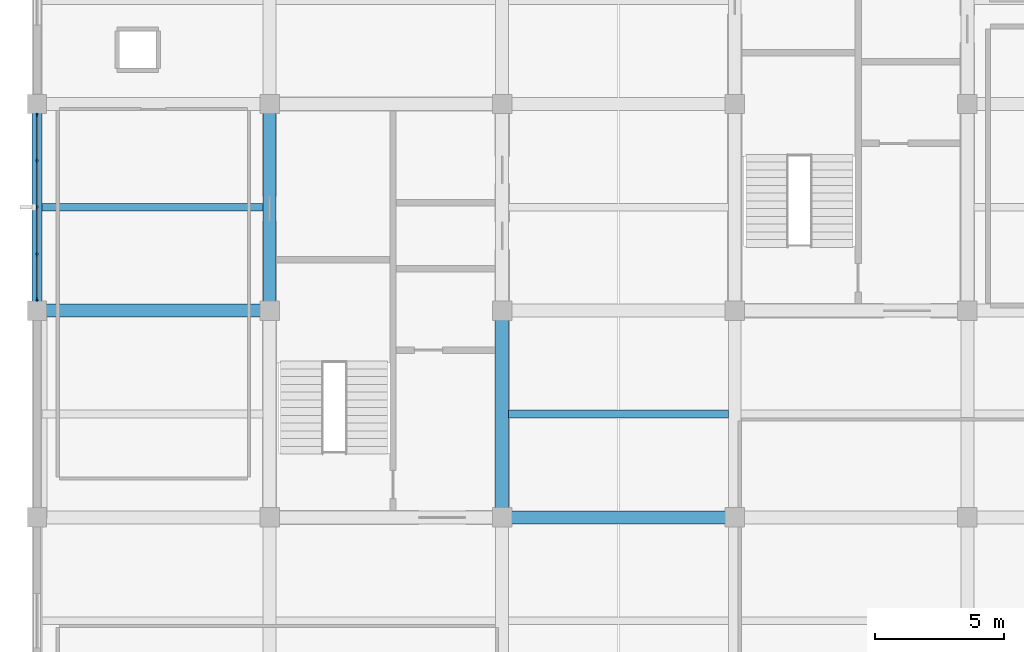
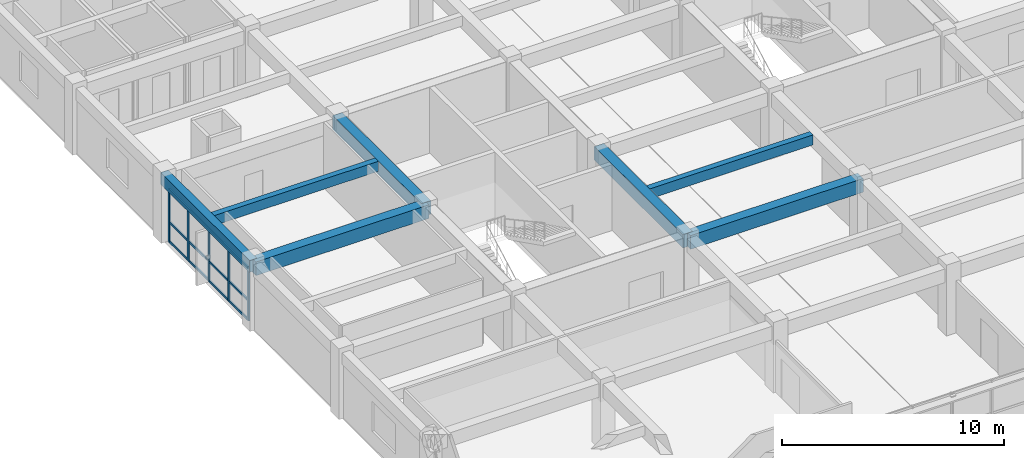
# One storey, part 4 of 15: 8 members, 7 beams, 1 element without a shape of its own.
"""IFC4 building model written with IfcOpenShell, lengths in metres."""

from ifc_helpers import new_model, si_unit, direction, frame, origin, origin_2d, place, context, subcontext, project, spatial, rectangle, extrude, material, material_profile, profile_set, type_object, element, aggregate, save


model = new_model("IFC4")

# Units and contexts
model_context = context("Model", 3, precision=1e-05, world=origin(), true_north=direction((0.0, 1.0)))
body_context = subcontext(model_context, "Body", "Model", "MODEL_VIEW")
ifc_project = project(units=[si_unit("LENGTHUNIT", "METRE"), si_unit("AREAUNIT", "SQUARE_METRE"), si_unit("VOLUMEUNIT", "CUBIC_METRE"), si_unit("PLANEANGLEUNIT", "RADIAN"), si_unit("MASSUNIT", "GRAM", prefix="KILO")], contexts=[model_context])

# Site, building, storey
site_placement = place(None, origin())
site = spatial("IfcSite", under=ifc_project, at=site_placement, CompositionType="ELEMENT")
building_placement = place(site_placement, origin())
building = spatial("IfcBuilding", under=site, at=building_placement, Name="Zaverband Oceanarium and Marine Research Institute", CompositionType="ELEMENT")
storey_placement = place(building_placement, frame((0.0, 0.0, 45.300048828125)))
storey = spatial("IfcBuildingStorey", under=building, at=storey_placement, Name="L11", CompositionType="ELEMENT", Elevation=45.300048828125)

# Beams
ifc_material_1 = material(Name="Concrete C40/50", Category="concrete")
ifc_material_profile_1 = material_profile(ifc_material_1, rectangle(XDim=0.5, YDim=0.75, at=origin_2d()), Name="RC500x750")
ifc_profile_set_1 = profile_set([ifc_material_profile_1], Name="Concrete C40/50")
beam_type_1 = type_object("IfcBeamType", Name="BM-500x750", PredefinedType="BEAM", material=ifc_profile_set_1)
for number, where, z_axis, x_axis, name in (
    (1, (27.0, 80.0, 3.244873046875), (1.0, 0.0, 0.0), (0.0, 1.0, 0.0), "Primary floor girder BM-500x750"),
    (2, (9.0, 88.0, 3.244873046875), (1.0, 0.0, 0.0), (0.0, 1.0, 0.0), "Primary floor girder BM-500x750"),
):
    element("IfcBeam", number, at=place(storey_placement, frame(where, z_axis=z_axis, x_axis=x_axis)), inside=storey, type_object=beam_type_1, Name=name, PredefinedType="BEAM", context=body_context, shape_type="SweptSolid", body=[
        extrude(rectangle(XDim=0.5, YDim=0.75, at=origin_2d()), origin(), (0.0, 0.0, 1.0), 9.0),
    ])
for number, where, z_axis, x_axis, name in (
    (3, (18.0, 88.0, 3.244873046875), (0.0, 1.0, 0.0), (-1.0, 0.0, 0.0), "Primary floor girder BM-500x750"),
    (4, (27.0, 80.0, 3.244873046875), (0.0, 1.0, 0.0), (-1.0, 0.0, 0.0), "Primary floor girder BM-500x750"),
):
    element("IfcBeam", number, at=place(storey_placement, frame(where, z_axis=z_axis, x_axis=x_axis)), inside=storey, type_object=beam_type_1, Name=name, PredefinedType="BEAM", context=body_context, shape_type="SweptSolid", body=[
        extrude(rectangle(XDim=0.5, YDim=0.75, at=origin_2d()), origin(), (0.0, 0.0, 1.0), 8.0),
    ])
ifc_material_profile_2 = material_profile(ifc_material_1, rectangle(XDim=0.300048828125, YDim=0.550048828125, at=origin_2d()), Name="RC300x550")
ifc_profile_set_2 = profile_set([ifc_material_profile_2], Name="Concrete C40/50")
beam_type_2 = type_object("IfcBeamType", Name="JST-300x550", PredefinedType="JOIST", material=ifc_profile_set_2)
beam_1_placement = place(storey_placement, frame((9.199951171875, 92.0, 3.344970703125), z_axis=(1.0, 0.0, 0.0), x_axis=(0.0, 1.0, 0.0)))
element("IfcBeam", 5, at=beam_1_placement, inside=storey, type_object=beam_type_2, Name="Secondary floor joist JST-300x550", PredefinedType="JOIST", context=body_context, shape_type="SweptSolid", body=[
    extrude(rectangle(XDim=0.300048828125, YDim=0.550048828125, at=origin_2d()), origin(), (0.0, 0.0, 1.0), 8.550048828125),
])
beam_2_placement = place(storey_placement, frame((27.25, 84.0, 3.344970703125), z_axis=(1.0, 0.0, 0.0), x_axis=(0.0, 1.0, 0.0)))
element("IfcBeam", 6, at=beam_2_placement, inside=storey, type_object=beam_type_2, Name="Secondary floor joist JST-300x550", PredefinedType="JOIST", context=body_context, shape_type="SweptSolid", body=[
    extrude(rectangle(XDim=0.300048828125, YDim=0.550048828125, at=origin_2d()), origin(), (0.0, 0.0, 1.0), 8.5),
])

# Curtain wall, members
ifc_material_2 = material(Name="Thermally broken anodized aluminium and solar-control glass", Category="aluminium")
curtain_wall_type = type_object("IfcCurtainWallType", Name="CW-UNIT-1800", PredefinedType="NOTDEFINED", material=ifc_material_2)
curtain_wall_placement = place(storey_placement, origin())
curtain_wall = element("IfcCurtainWall", 7, at=curtain_wall_placement, inside=storey, type_object=curtain_wall_type, Name="Unitised glazed curtain wall CW-128", PredefinedType="NOTDEFINED")
ifc_material_3 = material(Name="Thermally broken anodized aluminium", Category="aluminium")
ifc_material_profile_3 = material_profile(ifc_material_3, rectangle(XDim=0.070068359375, YDim=0.14990234375, at=origin_2d()), Name="AL-MUL-70x150")
ifc_profile_set_3 = profile_set([ifc_material_profile_3], Name="Thermally broken anodized aluminium")
member_type_1 = type_object("IfcMemberType", Name="MUL-70x150", PredefinedType="MULLION", material=ifc_profile_set_3)
member_1_placement = place(storey_placement, frame((9.0, 88.43994140625, 0.0), z_axis=(0.0, 0.0, 1.0), x_axis=(1.0, 0.0, 0.0)))
member_1 = element("IfcMember", 8, at=member_1_placement, type_object=member_type_1, Name="Curtain wall vertical mullion MUL-70x150", PredefinedType="MULLION", context=body_context, shape_type="SweptSolid", body=[
    extrude(rectangle(XDim=0.070068359375, YDim=0.14990234375, at=origin_2d()), origin(), (0.0, 0.0, 1.0), 2.949951171875),
])
member_2_placement = place(storey_placement, frame((9.0, 90.18994140625, 0.0), z_axis=(0.0, 0.0, 1.0), x_axis=(1.0, 0.0, 0.0)))
member_2 = element("IfcMember", 9, at=member_2_placement, type_object=member_type_1, Name="Curtain wall vertical mullion MUL-70x150", PredefinedType="MULLION", context=body_context, shape_type="SweptSolid", body=[
    extrude(rectangle(XDim=0.070068359375, YDim=0.14990234375, at=origin_2d()), origin(), (0.0, 0.0, 1.0), 2.949951171875),
])
member_3_placement = place(storey_placement, frame((9.0, 92.0, 0.0), z_axis=(0.0, 0.0, 1.0), x_axis=(1.0, 0.0, 0.0)))
member_3 = element("IfcMember", 10, at=member_3_placement, type_object=member_type_1, Name="Curtain wall vertical mullion MUL-70x150", PredefinedType="MULLION", context=body_context, shape_type="SweptSolid", body=[
    extrude(rectangle(XDim=0.070068359375, YDim=0.14990234375, at=origin_2d()), origin(), (0.0, 0.0, 1.0), 2.949951171875),
])
member_4_placement = place(storey_placement, frame((9.0, 93.81005859375, 0.0), z_axis=(0.0, 0.0, 1.0), x_axis=(1.0, 0.0, 0.0)))
member_4 = element("IfcMember", 11, at=member_4_placement, type_object=member_type_1, Name="Curtain wall vertical mullion MUL-70x150", PredefinedType="MULLION", context=body_context, shape_type="SweptSolid", body=[
    extrude(rectangle(XDim=0.070068359375, YDim=0.14990234375, at=origin_2d()), origin(), (0.0, 0.0, 1.0), 2.949951171875),
])
member_5_placement = place(storey_placement, frame((9.0, 95.56005859375, 0.0), z_axis=(0.0, 0.0, 1.0), x_axis=(1.0, 0.0, 0.0)))
member_5 = element("IfcMember", 12, at=member_5_placement, type_object=member_type_1, Name="Curtain wall vertical mullion MUL-70x150", PredefinedType="MULLION", context=body_context, shape_type="SweptSolid", body=[
    extrude(rectangle(XDim=0.070068359375, YDim=0.14990234375, at=origin_2d()), origin(), (0.0, 0.0, 1.0), 2.949951171875),
])

# Beam
ifc_material_profile_4 = material_profile(ifc_material_1, rectangle(XDim=0.39990234375, YDim=0.64990234375, at=origin_2d()), Name="RC400x650")
ifc_profile_set_4 = profile_set([ifc_material_profile_4], Name="Concrete C40/50")
beam_type_3 = type_object("IfcBeamType", Name="SPN-400x650", PredefinedType="SPANDREL", material=ifc_profile_set_4)
beam_3_placement = place(storey_placement, frame((9.0, 88.0, 3.294921875), z_axis=(0.0, 1.0, 0.0), x_axis=(-1.0, 0.0, 0.0)))
element("IfcBeam", 13, at=beam_3_placement, inside=storey, type_object=beam_type_3, Name="Perimeter spandrel beam SPN-400x650", PredefinedType="SPANDREL", context=body_context, shape_type="SweptSolid", body=[
    extrude(rectangle(XDim=0.39990234375, YDim=0.64990234375, at=origin_2d()), origin(), (0.0, 0.0, 1.0), 8.0),
])

# Member
ifc_material_profile_5 = material_profile(ifc_material_3, rectangle(XDim=0.070068359375, YDim=0.114990234375, at=origin_2d()), Name="AL-TRN-70x115")
ifc_profile_set_5 = profile_set([ifc_material_profile_5], Name="Thermally broken anodized aluminium")
member_type_2 = type_object("IfcMemberType", Name="TRN-70x115", PredefinedType="USERDEFINED", material=ifc_profile_set_5)
member_6_placement = place(storey_placement, frame((9.0, 88.43994140625, 0.050048828125), z_axis=(0.0, 1.0, 0.0), x_axis=(-1.0, 0.0, 0.0)))
member_6 = element("IfcMember", 14, at=member_6_placement, type_object=member_type_2, Name="Curtain wall horizontal transom TRN-70x115", ObjectType="TRANSOM", PredefinedType="USERDEFINED", context=body_context, shape_type="SweptSolid", body=[
    extrude(rectangle(XDim=0.070068359375, YDim=0.114990234375, at=origin_2d()), origin(), (0.0, 0.0, 1.0), 7.1201171875),
])

member_7_placement = place(storey_placement, frame((9.0, 88.43994140625, 1.112060546875), z_axis=(0.0, 1.0, 0.0), x_axis=(-1.0, 0.0, 0.0)))
member_7 = element("IfcMember", 15, at=member_7_placement, type_object=member_type_2, Name="Curtain wall horizontal transom TRN-70x115", ObjectType="TRANSOM", PredefinedType="USERDEFINED", context=body_context, shape_type="SweptSolid", body=[
    extrude(rectangle(XDim=0.070068359375, YDim=0.114990234375, at=origin_2d()), origin(), (0.0, 0.0, 1.0), 7.1201171875),
])

member_8_placement = place(storey_placement, frame((9.0, 88.43994140625, 2.89990234375), z_axis=(0.0, 1.0, 0.0), x_axis=(-1.0, 0.0, 0.0)))
member_8 = element("IfcMember", 16, at=member_8_placement, type_object=member_type_2, Name="Curtain wall horizontal transom TRN-70x115", ObjectType="TRANSOM", PredefinedType="USERDEFINED", context=body_context, shape_type="SweptSolid", body=[
    extrude(rectangle(XDim=0.070068359375, YDim=0.114990234375, at=origin_2d()), origin(), (0.0, 0.0, 1.0), 7.1201171875),
])

aggregate(curtain_wall, [member_1, member_2, member_3, member_4, member_5, member_6, member_7, member_8])

save(model, "model.ifc")
